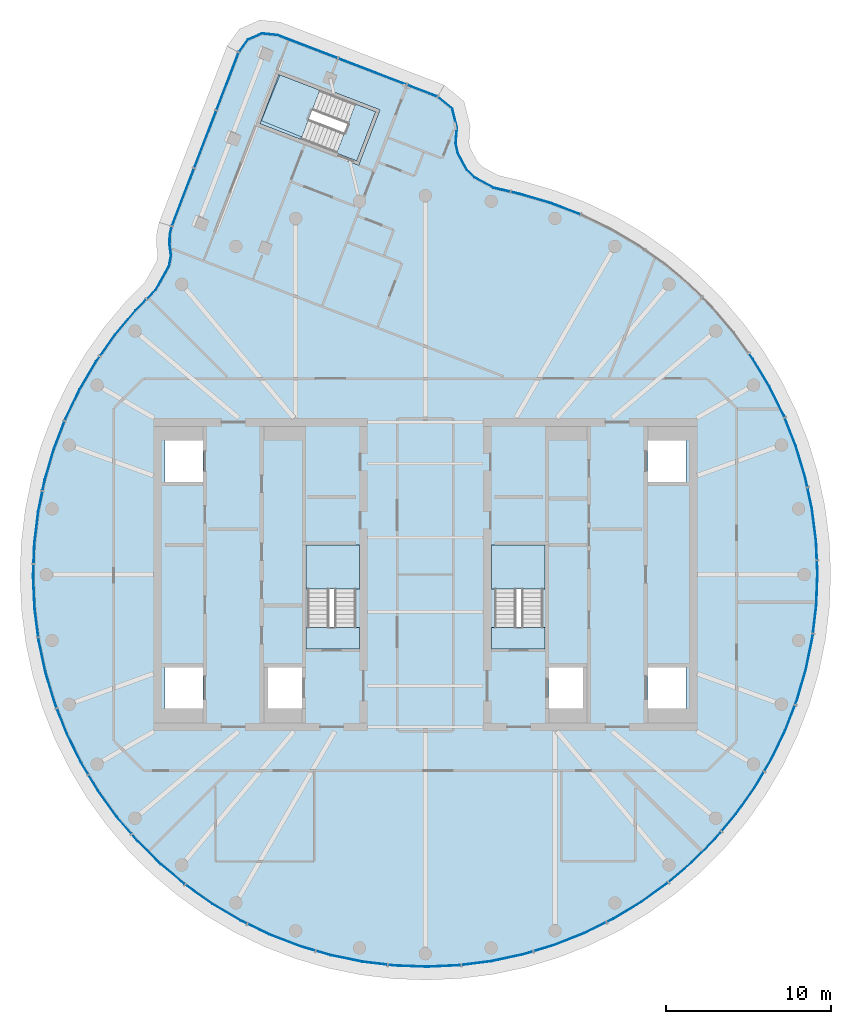
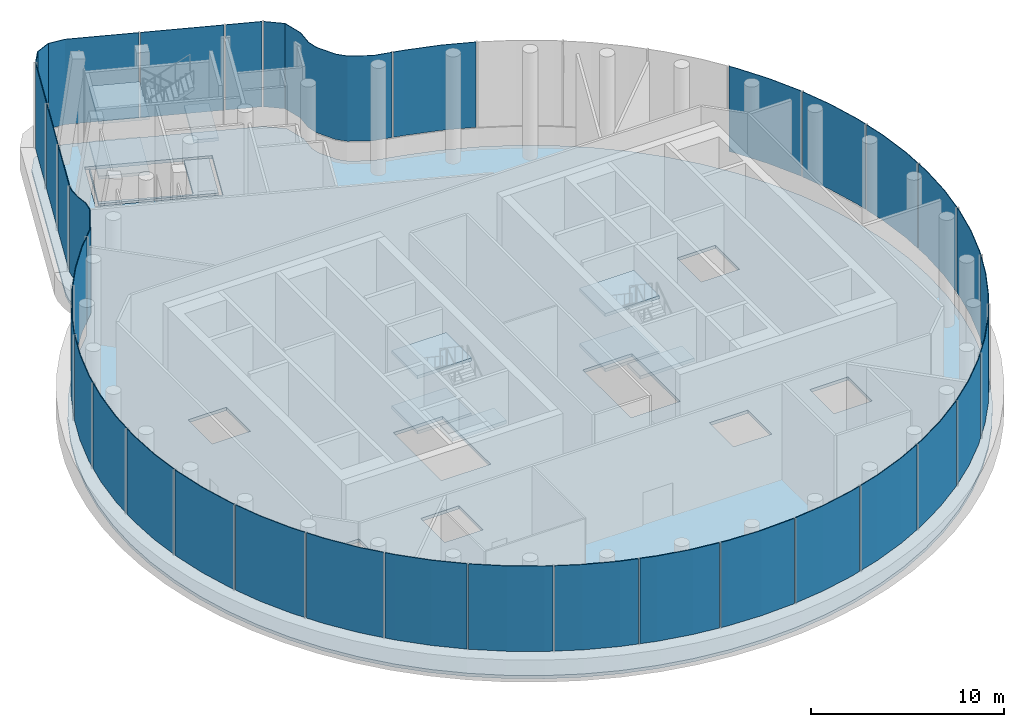
# One storey, part 7 of 12: 33 plates, 11 slabs, 6 elements without a shape of their own.
"""IFC4 building model written with IfcOpenShell, lengths in metres."""

from ifc_helpers import new_model, si_unit, direction, frame, origin, place, context, subcontext, project, spatial, polyline, outline, extrude, material, layer, layer_set, type_object, element, aggregate, save


model = new_model("IFC4")

# Units and contexts
model_context = context("Model", 3, precision=1e-05, world=origin(), true_north=direction((0.0, 1.0)))
body_context = subcontext(model_context, "Body", "Model", "MODEL_VIEW")
ifc_project = project(units=[si_unit("LENGTHUNIT", "METRE"), si_unit("AREAUNIT", "SQUARE_METRE"), si_unit("VOLUMEUNIT", "CUBIC_METRE"), si_unit("PLANEANGLEUNIT", "RADIAN"), si_unit("MASSUNIT", "GRAM", prefix="KILO")], contexts=[model_context])

# Site, building, storey
site_placement = place(None, origin())
site = spatial("IfcSite", under=ifc_project, at=site_placement, CompositionType="ELEMENT")
building_placement = place(site_placement, origin())
building = spatial("IfcBuilding", under=site, at=building_placement, Name="Tamarind Cross Interchange Tower", CompositionType="ELEMENT")
storey_placement = place(building_placement, frame((0.0, 0.0, 287.39990234375)))
storey = spatial("IfcBuildingStorey", under=building, at=storey_placement, Name="L72", CompositionType="ELEMENT", Elevation=287.39990234375)

# Slabs
ifc_material_1 = material(Name="Concrete C40", Category="concrete")
ifc_layer_1 = layer(ifc_material_1, 0.199951171875)
ifc_layer_set_1 = layer_set([ifc_layer_1], Name="Concrete C40")
slab_type_1 = type_object("IfcSlabType", Name="Composite slab 200 Concrete C40", PredefinedType="FLOOR", material=ifc_layer_set_1)
slab_1_placement = place(storey_placement, frame((0.0, 0.0, -0.199951171875)))
element("IfcSlab", 1, at=slab_1_placement, inside=storey, type_object=slab_type_1, Name="Floor slab L72", PredefinedType="FLOOR", context=body_context, shape_type="SweptSolid", body=[
    extrude(outline(polyline([(-10.89453125, 32.6201171875), (-11.503662109375, 31.783203125), (-15.576171875, 21.19775390625), (-15.698486328125, 20.690185546875), (-15.716552734375, 20.05078125), (-15.635009765625, 19.35888671875), (-15.74072265625, 18.78955078125), (-16.534423828125, 17.377685546875), (-17.72412109375, 16.17578125), (-18.99951171875, 14.656982421875), (-20.14501953125, 13.0380859375), (-21.15283203125, 11.329833984375), (-22.01611328125, 9.54443359375), (-22.72900390625, 7.693603515625), (-23.286865234375, 5.79052734375), (-23.685546875, 3.84765625), (-23.92236328125, 1.878662109375), (-23.99560546875, -0.103271484375), (-23.9052734375, -2.08447265625), (-23.651611328125, -4.051513671875), (-23.236083984375, -5.99072265625), (-22.662109375, -7.88916015625), (-21.93310546875, -9.7333984375), (-21.054443359375, -11.511474609375), (-20.031982421875, -13.2109375), (-18.87255859375, -14.820068359375), (-17.584228515625, -16.327880859375), (-16.17578125, -17.72412109375), (-14.656982421875, -18.99951171875), (-13.0380859375, -20.14501953125), (-11.329833984375, -21.15283203125), (-9.54443359375, -22.01611328125), (-7.693603515625, -22.72900390625), (-5.79052734375, -23.286865234375), (-3.84765625, -23.685546875), (-1.878662109375, -23.92236328125), (0.103271484375, -23.99560546875), (2.08447265625, -23.9052734375), (4.051513671875, -23.651611328125), (5.99072265625, -23.236083984375), (7.88916015625, -22.662109375), (9.7333984375, -21.93310546875), (11.511474609375, -21.054443359375), (13.2109375, -20.031982421875), (14.820068359375, -18.87255859375), (16.327880859375, -17.584228515625), (17.72412109375, -16.17578125), (18.99951171875, -14.656982421875), (20.14501953125, -13.0380859375), (21.15283203125, -11.329833984375), (22.01611328125, -9.54443359375), (22.72900390625, -7.693603515625), (23.286865234375, -5.79052734375), (23.685546875, -3.84765625), (23.92236328125, -1.878662109375), (23.99560546875, 0.103271484375), (23.9052734375, 2.08447265625), (23.651611328125, 4.051513671875), (23.236083984375, 5.99072265625), (22.662109375, 7.88916015625), (21.93310546875, 9.7333984375), (21.054443359375, 11.511474609375), (20.031982421875, 13.2109375), (18.87255859375, 14.820068359375), (17.584228515625, 16.327880859375), (16.17578125, 17.72412109375), (14.656982421875, 18.99951171875), (13.0380859375, 20.14501953125), (11.329833984375, 21.15283203125), (9.54443359375, 22.01611328125), (7.693603515625, 22.72900390625), (5.79052734375, 23.286865234375), (4.213134765625, 23.65966796875), (3.09375, 24.26416015625), (2.69921875, 24.65771484375), (2.160888671875, 25.646728515625), (2.044677734375, 26.191650390625), (2.120361328125, 27.1513671875), (1.818603515625, 28.375), (0.8447265625, 29.17529296875), (-8.9189453125, 32.931640625), (-9.948486328125, 33.04052734375), (-10.89453125, 32.6201171875)]), holes=[polyline([(-15.800048828125, -5.625), (-13.5, -5.625), (-13.5, -8.125), (-15.800048828125, -8.125), (-15.800048828125, -5.625)]), polyline([(-7.5, -5.625), (-7.5, -8.125), (-9.800048828125, -8.125), (-9.800048828125, -5.625), (-7.5, -5.625)]), polyline([(-13.5, 8.125), (-13.5, 5.625), (-15.800048828125, 5.625), (-15.800048828125, 8.125), (-13.5, 8.125)]), polyline([(-3.977294921875, 25.0302734375), (-4.049072265625, 24.843505859375), (-10.30224609375, 27.249267578125), (-10.23046875, 27.43603515625), (-9.081298828125, 30.422607421875), (-9.009521484375, 30.609130859375), (-8.742919921875, 30.506591796875), (-8.740966796875, 30.511474609375), (-8.47265625, 30.402587890625), (-2.75634765625, 28.203369140625), (-2.828125, 28.016845703125), (-3.977294921875, 25.0302734375)]), polyline([(7.5, -8.125), (7.5, -5.625), (9.800048828125, -5.625), (9.800048828125, -8.125), (7.5, -8.125)]), polyline([(13.5, -8.125), (13.5, -5.625), (15.800048828125, -5.625), (15.800048828125, -8.125), (13.5, -8.125)]), polyline([(-7.14990234375, 1.800048828125), (-4.199951171875, 1.800048828125), (-4.199951171875, -3.18798828125), (-7.14990234375, -3.18798828125), (-7.14990234375, 1.800048828125)]), polyline([(4.199951171875, 1.800048828125), (7.14990234375, 1.800048828125), (7.14990234375, -3.18798828125), (4.199951171875, -3.18798828125), (4.199951171875, 1.800048828125)]), polyline([(13.5, 5.625), (13.5, 8.125), (15.800048828125, 8.125), (15.800048828125, 5.625), (13.5, 5.625)])]), origin(), (0.0, 0.0, 1.0), 0.199951171875),
])
slab_2_placement = place(storey_placement, frame((0.0, 0.0, -0.199951171875)))
element("IfcSlab", 2, at=slab_2_placement, inside=storey, type_object=slab_type_1, Name="Floor slab L72", PredefinedType="FLOOR", context=body_context, shape_type="SweptSolid", body=[
    extrude(outline(polyline([(-8.818115234375, 30.3212890625), (-8.894775390625, 30.3505859375), (-10.043701171875, 27.364013671875), (-4.163818359375, 25.10205078125), (-3.014892578125, 28.088623046875), (-4.2392578125, 28.559814453125), (-5.346923828125, 25.6806640625), (-9.944091796875, 27.54638671875), (-8.818115234375, 30.3212890625)])), origin(), (0.0, 0.0, 1.0), 0.199951171875),
])

# Stair, slabs
ifc_material_2 = material(Name="Exit stair")
stair_type = type_object("IfcStairType", Name="Exit stair", PredefinedType="HALF_TURN_STAIR", material=ifc_material_2)
stair_1_placement = place(storey_placement, origin())
stair_1 = element("IfcStair", 3, at=stair_1_placement, inside=storey, type_object=stair_type, Name="L72 exit stair ST1", PredefinedType="HALF_TURN_STAIR")
ifc_layer_2 = layer(ifc_material_1, 0.199951171875)
ifc_layer_set_2 = layer_set([ifc_layer_2], Name="Concrete C40")
slab_type_2 = type_object("IfcSlabType", Name="Stair landing", PredefinedType="LANDING", material=ifc_layer_set_2)
slab_3_placement = place(storey_placement, frame((0.0, 0.0, 1.550048828125)))
slab_3 = element("IfcSlab", 4, at=slab_3_placement, type_object=slab_type_2, Name="ST1 landing 1", PredefinedType="LANDING", context=body_context, shape_type="SweptSolid", body=[
    extrude(outline(polyline([(-4.0, -0.860107421875), (-4.0, 1.800048828125), (-7.25, 1.800048828125), (-7.25, -0.860107421875), (-4.0, -0.860107421875)])), origin(), (0.0, 0.0, 1.0), 0.199951171875),
])
slab_4_placement = place(storey_placement, frame((0.0, 0.0, 3.300048828125)))
slab_4 = element("IfcSlab", 5, at=slab_4_placement, type_object=slab_type_2, Name="ST1 landing 2", PredefinedType="LANDING", context=body_context, shape_type="SweptSolid", body=[
    extrude(outline(polyline([(-4.0, -4.5), (-4.0, -3.199951171875), (-7.25, -3.199951171875), (-7.25, -4.5), (-4.0, -4.5)])), origin(), (0.0, 0.0, 1.0), 0.199951171875),
])
slab_5_placement = place(storey_placement, frame((0.0, 0.0, 5.050048828125)))
slab_5 = element("IfcSlab", 6, at=slab_5_placement, type_object=slab_type_2, Name="ST1 landing 3", PredefinedType="LANDING", context=body_context, shape_type="SweptSolid", body=[
    extrude(outline(polyline([(-4.0, -0.860107421875), (-4.0, 1.800048828125), (-7.25, 1.800048828125), (-7.25, -0.860107421875), (-4.0, -0.860107421875)])), origin(), (0.0, 0.0, 1.0), 0.199951171875),
])
aggregate(stair_1, [slab_3, slab_4, slab_5])

stair_2_placement = place(storey_placement, origin())
stair_2 = element("IfcStair", 7, at=stair_2_placement, inside=storey, type_object=stair_type, Name="L72 exit stair ST2", PredefinedType="HALF_TURN_STAIR")
slab_6_placement = place(storey_placement, frame((0.0, 0.0, 1.550048828125)))
slab_6 = element("IfcSlab", 8, at=slab_6_placement, type_object=slab_type_2, Name="ST2 landing 1", PredefinedType="LANDING", context=body_context, shape_type="SweptSolid", body=[
    extrude(outline(polyline([(7.25, -0.860107421875), (7.25, 1.800048828125), (4.0, 1.800048828125), (4.0, -0.860107421875), (7.25, -0.860107421875)])), origin(), (0.0, 0.0, 1.0), 0.199951171875),
])
slab_7_placement = place(storey_placement, frame((0.0, 0.0, 3.300048828125)))
slab_7 = element("IfcSlab", 9, at=slab_7_placement, type_object=slab_type_2, Name="ST2 landing 2", PredefinedType="LANDING", context=body_context, shape_type="SweptSolid", body=[
    extrude(outline(polyline([(7.25, -4.5), (7.25, -3.199951171875), (4.0, -3.199951171875), (4.0, -4.5), (7.25, -4.5)])), origin(), (0.0, 0.0, 1.0), 0.199951171875),
])
slab_8_placement = place(storey_placement, frame((0.0, 0.0, 5.050048828125)))
slab_8 = element("IfcSlab", 10, at=slab_8_placement, type_object=slab_type_2, Name="ST2 landing 3", PredefinedType="LANDING", context=body_context, shape_type="SweptSolid", body=[
    extrude(outline(polyline([(7.25, -0.860107421875), (7.25, 1.800048828125), (4.0, 1.800048828125), (4.0, -0.860107421875), (7.25, -0.860107421875)])), origin(), (0.0, 0.0, 1.0), 0.199951171875),
])
aggregate(stair_2, [slab_6, slab_7, slab_8])

stair_3_placement = place(storey_placement, origin())
stair_3 = element("IfcStair", 11, at=stair_3_placement, inside=storey, type_object=stair_type, Name="L72 exit stair ST4", PredefinedType="HALF_TURN_STAIR")
slab_9_placement = place(storey_placement, frame((0.0, 0.0, 1.550048828125)))
slab_9 = element("IfcSlab", 12, at=slab_9_placement, type_object=slab_type_2, Name="ST4 landing 1", PredefinedType="LANDING", context=body_context, shape_type="SweptSolid", body=[
    extrude(outline(polyline([(-6.40087890625, 29.391357421875), (-8.894775390625, 30.350830078125), (-10.043701171875, 27.3642578125), (-7.5498046875, 26.40478515625), (-6.40087890625, 29.391357421875)])), origin(), (0.0, 0.0, 1.0), 0.199951171875),
])
slab_10_placement = place(storey_placement, frame((0.0, 0.0, 3.300048828125)))
slab_10 = element("IfcSlab", 13, at=slab_10_placement, type_object=slab_type_2, Name="ST4 landing 2", PredefinedType="LANDING", context=body_context, shape_type="SweptSolid", body=[
    extrude(outline(polyline([(-3.014892578125, 28.088623046875), (-4.2392578125, 28.5595703125), (-5.388427734375, 25.572998046875), (-4.163818359375, 25.10205078125), (-3.014892578125, 28.088623046875)])), origin(), (0.0, 0.0, 1.0), 0.199951171875),
])
slab_11_placement = place(storey_placement, frame((0.0, 0.0, 5.050048828125)))
slab_11 = element("IfcSlab", 14, at=slab_11_placement, type_object=slab_type_2, Name="ST4 landing 3", PredefinedType="LANDING", context=body_context, shape_type="SweptSolid", body=[
    extrude(outline(polyline([(-6.40087890625, 29.391357421875), (-8.894775390625, 30.350830078125), (-10.043701171875, 27.3642578125), (-7.5498046875, 26.40478515625), (-6.40087890625, 29.391357421875)])), origin(), (0.0, 0.0, 1.0), 0.199951171875),
])
aggregate(stair_3, [slab_9, slab_10, slab_11])

# Curtain wall, plates
ifc_material_3 = material(Name="Aluminium 6063-T6", Category="aluminium")
ifc_layer_3 = layer(ifc_material_3, 0.219970703125)
ifc_layer_set_3 = layer_set([ifc_layer_3], Name="Aluminium 6063-T6")
curtain_wall_type = type_object("IfcCurtainWallType", Name="Observation deck curtain wall", PredefinedType="NOTDEFINED", material=ifc_layer_set_3)
curtain_wall_1_placement = place(storey_placement, origin())
curtain_wall_1 = element("IfcCurtainWall", 15, at=curtain_wall_1_placement, inside=storey, type_object=curtain_wall_type, Name="CWS-L72-00", PredefinedType="NOTDEFINED")
ifc_material_4 = material(Name="Laminated low-e glass 10+1.52+10", Category="glass")
ifc_layer_4 = layer(ifc_material_4, 0.0400390625)
ifc_layer_set_4 = layer_set([ifc_layer_4], Name="Laminated low-e glass 10+1.52+10")
plate_type = type_object("IfcPlateType", Name="Vision panel CW5", PredefinedType="CURTAIN_PANEL", material=ifc_layer_set_4)
plate_1_placement = place(storey_placement, frame((0.0, 0.0, 1.400146484375)))
plate_1 = element("IfcPlate", 16, at=plate_1_placement, type_object=plate_type, Name="CWP-L72-00-00", PredefinedType="CURTAIN_PANEL", context=body_context, shape_type="SweptSolid", body=[
    extrude(outline(polyline([(0.6982421875, 28.995849609375), (-1.094482421875, 29.685546875), (-1.080078125, 29.722900390625), (0.712646484375, 29.033203125), (0.6982421875, 28.995849609375)])), origin(), (0.0, 0.0, 1.0), 5.39990234375),
])
plate_2_placement = place(storey_placement, frame((0.0, 0.0, 1.400146484375)))
plate_2 = element("IfcPlate", 17, at=plate_2_placement, type_object=plate_type, Name="CWP-L72-00-01", PredefinedType="CURTAIN_PANEL", context=body_context, shape_type="SweptSolid", body=[
    extrude(outline(polyline([(-1.1689453125, 29.71435546875), (-5.270751953125, 31.292236328125), (-5.25634765625, 31.32958984375), (-1.15478515625, 29.75146484375), (-1.1689453125, 29.71435546875)])), origin(), (0.0, 0.0, 1.0), 5.39990234375),
])
plate_3_placement = place(storey_placement, frame((0.0, 0.0, 1.400146484375)))
plate_3 = element("IfcPlate", 18, at=plate_3_placement, type_object=plate_type, Name="CWP-L72-00-02", PredefinedType="CURTAIN_PANEL", context=body_context, shape_type="SweptSolid", body=[
    extrude(outline(polyline([(-5.345458984375, 31.321044921875), (-8.970947265625, 32.7158203125), (-9.9130859375, 32.815673828125), (-10.75146484375, 32.443115234375), (-11.286865234375, 31.707275390625), (-11.319091796875, 31.730712890625), (-10.77734375, 32.475341796875), (-9.91943359375, 32.8564453125), (-8.96142578125, 32.755126953125), (-5.3310546875, 31.3583984375), (-5.345458984375, 31.321044921875)])), origin(), (0.0, 0.0, 1.0), 5.39990234375),
])
aggregate(curtain_wall_1, [plate_1, plate_2, plate_3])

curtain_wall_2_placement = place(storey_placement, origin())
curtain_wall_2 = element("IfcCurtainWall", 19, at=curtain_wall_2_placement, inside=storey, type_object=curtain_wall_type, Name="CWS-L72-01", PredefinedType="NOTDEFINED")
plate_4_placement = place(storey_placement, frame((0.0, 0.0, 1.400146484375)))
plate_4 = element("IfcPlate", 20, at=plate_4_placement, type_object=plate_type, Name="CWP-L72-01-00", PredefinedType="CURTAIN_PANEL", context=body_context, shape_type="SweptSolid", body=[
    extrude(outline(polyline([(-11.322265625, 31.64208984375), (-12.646240234375, 28.20068359375), (-12.68359375, 28.215087890625), (-11.359619140625, 31.656494140625), (-11.322265625, 31.64208984375)])), origin(), (0.0, 0.0, 1.0), 5.39990234375),
])
plate_5_placement = place(storey_placement, frame((0.0, 0.0, 1.400146484375)))
plate_5 = element("IfcPlate", 21, at=plate_5_placement, type_object=plate_type, Name="CWP-L72-01-01", PredefinedType="CURTAIN_PANEL", context=body_context, shape_type="SweptSolid", body=[
    extrude(outline(polyline([(-12.675048828125, 28.1259765625), (-13.9990234375, 24.6845703125), (-14.036376953125, 24.698974609375), (-12.71240234375, 28.140380859375), (-12.675048828125, 28.1259765625)])), origin(), (0.0, 0.0, 1.0), 5.39990234375),
])
plate_6_placement = place(storey_placement, frame((0.0, 0.0, 1.400146484375)))
plate_6 = element("IfcPlate", 22, at=plate_6_placement, type_object=plate_type, Name="CWP-L72-01-02", PredefinedType="CURTAIN_PANEL", context=body_context, shape_type="SweptSolid", body=[
    extrude(outline(polyline([(-14.02783203125, 24.60986328125), (-15.351806640625, 21.168212890625), (-15.38916015625, 21.1826171875), (-14.065185546875, 24.624267578125), (-14.02783203125, 24.60986328125)])), origin(), (0.0, 0.0, 1.0), 5.39990234375),
])
aggregate(curtain_wall_2, [plate_4, plate_5, plate_6])

curtain_wall_3_placement = place(storey_placement, origin())
curtain_wall_3 = element("IfcCurtainWall", 23, at=curtain_wall_3_placement, inside=storey, type_object=curtain_wall_type, Name="CWS-L72-02", PredefinedType="NOTDEFINED")
plate_7_placement = place(storey_placement, frame((0.0, 0.0, 1.400146484375)))
plate_7 = element("IfcPlate", 24, at=plate_7_placement, type_object=plate_type, Name="CWP-L72-02-00", PredefinedType="CURTAIN_PANEL", context=body_context, shape_type="SweptSolid", body=[
    extrude(outline(polyline([(-15.374755859375, 21.094482421875), (-15.479248046875, 20.660888671875), (-15.49609375, 20.060546875), (-15.41259765625, 19.3515625), (-15.53125, 18.713623046875), (-16.357177734375, 17.244140625), (-16.871826171875, 16.72412109375), (-16.900146484375, 16.75244140625), (-16.389404296875, 17.268310546875), (-15.5693359375, 18.727294921875), (-15.453125, 19.352783203125), (-15.5361328125, 20.058837890625), (-15.51904296875, 20.666259765625), (-15.41357421875, 21.10400390625), (-15.374755859375, 21.094482421875)])), origin(), (0.0, 0.0, 1.0), 5.39990234375),
])
plate_8_placement = place(storey_placement, frame((0.0, 0.0, 1.400146484375)))
plate_8 = element("IfcPlate", 25, at=plate_8_placement, type_object=plate_type, Name="CWP-L72-02-01", PredefinedType="CURTAIN_PANEL", context=body_context, shape_type="SweptSolid", body=[
    extrude(outline(polyline([(-16.927978515625, 16.66748046875), (-17.5615234375, 16.027587890625), (-18.8251953125, 14.5224609375), (-19.712646484375, 13.26806640625), (-19.745361328125, 13.291259765625), (-18.856689453125, 14.546875), (-17.591064453125, 16.054443359375), (-16.95654296875, 16.695556640625), (-16.927978515625, 16.66748046875)])), origin(), (0.0, 0.0, 1.0), 5.39990234375),
])
plate_9_placement = place(storey_placement, frame((0.0, 0.0, 1.400146484375)))
plate_9 = element("IfcPlate", 26, at=plate_9_placement, type_object=plate_type, Name="CWP-L72-02-02", PredefinedType="CURTAIN_PANEL", context=body_context, shape_type="SweptSolid", body=[
    extrude(outline(polyline([(-19.7587890625, 13.202880859375), (-19.9599609375, 12.918212890625), (-20.958740234375, 11.225830078125), (-21.814208984375, 9.456787109375), (-21.85107421875, 9.360595703125), (-21.888427734375, 9.375), (-21.850830078125, 9.47265625), (-20.993896484375, 11.244873046875), (-19.99365234375, 12.940185546875), (-19.79150390625, 13.225830078125), (-19.7587890625, 13.202880859375)])), origin(), (0.0, 0.0, 1.0), 5.39990234375),
])
plate_10_placement = place(storey_placement, frame((0.0, 0.0, 1.400146484375)))
plate_10 = element("IfcPlate", 27, at=plate_10_placement, type_object=plate_type, Name="CWP-L72-02-03", PredefinedType="CURTAIN_PANEL", context=body_context, shape_type="SweptSolid", body=[
    extrude(outline(polyline([(-21.8798828125, 9.285888671875), (-22.5205078125, 7.623046875), (-23.0732421875, 5.7373046875), (-23.201171875, 5.11376953125), (-23.240234375, 5.121826171875), (-23.112060546875, 5.7470703125), (-22.558349609375, 7.635986328125), (-21.917236328125, 9.30029296875), (-21.8798828125, 9.285888671875)])), origin(), (0.0, 0.0, 1.0), 5.39990234375),
])
plate_11_placement = place(storey_placement, frame((0.0, 0.0, 1.400146484375)))
plate_11 = element("IfcPlate", 28, at=plate_11_placement, type_object=plate_type, Name="CWP-L72-02-04", PredefinedType="CURTAIN_PANEL", context=body_context, shape_type="SweptSolid", body=[
    extrude(outline(polyline([(-23.21728515625, 5.035400390625), (-23.468017578125, 3.8125), (-23.702880859375, 1.861328125), (-23.74609375, 0.691650390625), (-23.7861328125, 0.693359375), (-23.74267578125, 1.864501953125), (-23.507568359375, 3.81884765625), (-23.25634765625, 5.04345703125), (-23.21728515625, 5.035400390625)])), origin(), (0.0, 0.0, 1.0), 5.39990234375),
])
plate_12_placement = place(storey_placement, frame((0.0, 0.0, 1.400146484375)))
plate_12 = element("IfcPlate", 29, at=plate_12_placement, type_object=plate_type, Name="CWP-L72-02-05", PredefinedType="CURTAIN_PANEL", context=body_context, shape_type="SweptSolid", body=[
    extrude(outline(polyline([(-23.7490234375, 0.61181640625), (-23.775634765625, -0.102294921875), (-23.685791015625, -2.0654296875), (-23.4677734375, -3.75537109375), (-23.507568359375, -3.760498046875), (-23.725830078125, -2.06884765625), (-23.815673828125, -0.1025390625), (-23.7890625, 0.61328125), (-23.7490234375, 0.61181640625)])), origin(), (0.0, 0.0, 1.0), 5.39990234375),
])
plate_13_placement = place(storey_placement, frame((0.0, 0.0, 1.400146484375)))
plate_13 = element("IfcPlate", 30, at=plate_13_placement, type_object=plate_type, Name="CWP-L72-02-06", PredefinedType="CURTAIN_PANEL", context=body_context, shape_type="SweptSolid", body=[
    extrude(outline(polyline([(-23.45751953125, -3.834716796875), (-23.434326171875, -4.01416015625), (-23.02294921875, -5.935791015625), (-22.4541015625, -7.816650390625), (-22.354736328125, -8.068359375), (-22.391845703125, -8.0830078125), (-22.491943359375, -7.829833984375), (-23.061767578125, -5.94580078125), (-23.473876953125, -4.02099609375), (-23.497314453125, -3.83984375), (-23.45751953125, -3.834716796875)])), origin(), (0.0, 0.0, 1.0), 5.39990234375),
])
plate_14_placement = place(storey_placement, frame((0.0, 0.0, 1.400146484375)))
plate_14 = element("IfcPlate", 31, at=plate_14_placement, type_object=plate_type, Name="CWP-L72-02-07", PredefinedType="CURTAIN_PANEL", context=body_context, shape_type="SweptSolid", body=[
    extrude(outline(polyline([(-22.3251953125, -8.142822265625), (-21.73193359375, -9.644287109375), (-20.861328125, -11.406005859375), (-20.446533203125, -12.094970703125), (-20.48095703125, -12.11572265625), (-20.896484375, -11.425048828125), (-21.7685546875, -9.660400390625), (-22.362548828125, -8.157470703125), (-22.3251953125, -8.142822265625)])), origin(), (0.0, 0.0, 1.0), 5.39990234375),
])
plate_15_placement = place(storey_placement, frame((0.0, 0.0, 1.400146484375)))
plate_15 = element("IfcPlate", 32, at=plate_15_placement, type_object=plate_type, Name="CWP-L72-02-08", PredefinedType="CURTAIN_PANEL", context=body_context, shape_type="SweptSolid", body=[
    extrude(outline(polyline([(-20.4052734375, -12.16357421875), (-19.84814453125, -13.089599609375), (-18.699462890625, -14.68408203125), (-17.830322265625, -15.701416015625), (-17.860595703125, -15.727294921875), (-18.73095703125, -14.708740234375), (-19.881591796875, -13.111572265625), (-20.439697265625, -12.18408203125), (-20.4052734375, -12.16357421875)])), origin(), (0.0, 0.0, 1.0), 5.39990234375),
])
plate_16_placement = place(storey_placement, frame((0.0, 0.0, 1.400146484375)))
plate_16 = element("IfcPlate", 33, at=plate_16_placement, type_object=plate_type, Name="CWP-L72-02-09", PredefinedType="CURTAIN_PANEL", context=body_context, shape_type="SweptSolid", body=[
    extrude(outline(polyline([(-17.7783203125, -15.76220703125), (-17.4228515625, -16.177978515625), (-16.02734375, -17.5615234375), (-14.593994140625, -18.764892578125), (-14.619873046875, -18.795654296875), (-16.054443359375, -17.591064453125), (-17.452392578125, -16.205322265625), (-17.80859375, -15.7880859375), (-17.7783203125, -15.76220703125)])), origin(), (0.0, 0.0, 1.0), 5.39990234375),
])
plate_17_placement = place(storey_placement, frame((0.0, 0.0, 1.400146484375)))
plate_17 = element("IfcPlate", 34, at=plate_17_placement, type_object=plate_type, Name="CWP-L72-02-10", PredefinedType="CURTAIN_PANEL", context=body_context, shape_type="SweptSolid", body=[
    extrude(outline(polyline([(-14.53271484375, -18.81640625), (-14.5224609375, -18.8251953125), (-12.918212890625, -19.9599609375), (-11.225830078125, -20.958740234375), (-10.83154296875, -21.1494140625), (-10.848876953125, -21.185302734375), (-11.244873046875, -20.993896484375), (-12.940185546875, -19.99365234375), (-14.546875, -18.856689453125), (-14.55859375, -18.84716796875), (-14.53271484375, -18.81640625)])), origin(), (0.0, 0.0, 1.0), 5.39990234375),
])
plate_18_placement = place(storey_placement, frame((0.0, 0.0, 1.400146484375)))
plate_18 = element("IfcPlate", 35, at=plate_18_placement, type_object=plate_type, Name="CWP-L72-02-11", PredefinedType="CURTAIN_PANEL", context=body_context, shape_type="SweptSolid", body=[
    extrude(outline(polyline([(-10.759521484375, -21.184326171875), (-9.456787109375, -21.814208984375), (-7.623046875, -22.5205078125), (-6.6904296875, -22.7939453125), (-6.70166015625, -22.832275390625), (-7.635986328125, -22.558349609375), (-9.47265625, -21.850830078125), (-10.77685546875, -21.22021484375), (-10.759521484375, -21.184326171875)])), origin(), (0.0, 0.0, 1.0), 5.39990234375),
])
plate_19_placement = place(storey_placement, frame((0.0, 0.0, 1.400146484375)))
plate_19 = element("IfcPlate", 36, at=plate_19_placement, type_object=plate_type, Name="CWP-L72-02-12", PredefinedType="CURTAIN_PANEL", context=body_context, shape_type="SweptSolid", body=[
    extrude(outline(polyline([(-6.61376953125, -22.81640625), (-5.7373046875, -23.0732421875), (-3.8125, -23.468017578125), (-2.317626953125, -23.64794921875), (-2.322265625, -23.687744140625), (-3.81884765625, -23.507568359375), (-5.7470703125, -23.112060546875), (-6.625, -22.854736328125), (-6.61376953125, -22.81640625)])), origin(), (0.0, 0.0, 1.0), 5.39990234375),
])
plate_20_placement = place(storey_placement, frame((0.0, 0.0, 1.400146484375)))
plate_20 = element("IfcPlate", 37, at=plate_20_placement, type_object=plate_type, Name="CWP-L72-02-13", PredefinedType="CURTAIN_PANEL", context=body_context, shape_type="SweptSolid", body=[
    extrude(outline(polyline([(-2.23828125, -23.657470703125), (-1.861328125, -23.702880859375), (0.102294921875, -23.775634765625), (2.0654296875, -23.685791015625), (2.13671875, -23.6767578125), (2.141845703125, -23.71630859375), (2.06884765625, -23.725830078125), (0.1025390625, -23.815673828125), (-1.864501953125, -23.74267578125), (-2.242919921875, -23.697265625), (-2.23828125, -23.657470703125)])), origin(), (0.0, 0.0, 1.0), 5.39990234375),
])
plate_21_placement = place(storey_placement, frame((0.0, 0.0, 1.400146484375)))
plate_21 = element("IfcPlate", 38, at=plate_21_placement, type_object=plate_type, Name="CWP-L72-02-14", PredefinedType="CURTAIN_PANEL", context=body_context, shape_type="SweptSolid", body=[
    extrude(outline(polyline([(2.216064453125, -23.66650390625), (4.01416015625, -23.434326171875), (5.935791015625, -23.02294921875), (6.515380859375, -22.84765625), (6.527099609375, -22.885986328125), (5.94580078125, -23.061767578125), (4.02099609375, -23.473876953125), (2.22119140625, -23.7060546875), (2.216064453125, -23.66650390625)])), origin(), (0.0, 0.0, 1.0), 5.39990234375),
])
plate_22_placement = place(storey_placement, frame((0.0, 0.0, 1.400146484375)))
plate_22 = element("IfcPlate", 39, at=plate_22_placement, type_object=plate_type, Name="CWP-L72-02-15", PredefinedType="CURTAIN_PANEL", context=body_context, shape_type="SweptSolid", body=[
    extrude(outline(polyline([(6.592041015625, -22.824462890625), (7.816650390625, -22.4541015625), (9.644287109375, -21.73193359375), (10.955322265625, -21.083984375), (10.97314453125, -21.119873046875), (9.660400390625, -21.7685546875), (7.829833984375, -22.491943359375), (6.603515625, -22.86279296875), (6.592041015625, -22.824462890625)])), origin(), (0.0, 0.0, 1.0), 5.39990234375),
])
plate_23_placement = place(storey_placement, frame((0.0, 0.0, 1.400146484375)))
plate_23 = element("IfcPlate", 40, at=plate_23_placement, type_object=plate_type, Name="CWP-L72-02-16", PredefinedType="CURTAIN_PANEL", context=body_context, shape_type="SweptSolid", body=[
    extrude(outline(polyline([(11.027099609375, -21.04833984375), (11.406005859375, -20.861328125), (13.089599609375, -19.84814453125), (14.68408203125, -18.699462890625), (14.7060546875, -18.680419921875), (14.73193359375, -18.7109375), (14.708740234375, -18.73095703125), (13.111572265625, -19.881591796875), (11.425048828125, -20.896484375), (11.044921875, -21.084228515625), (11.027099609375, -21.04833984375)])), origin(), (0.0, 0.0, 1.0), 5.39990234375),
])
plate_24_placement = place(storey_placement, frame((0.0, 0.0, 1.400146484375)))
plate_24 = element("IfcPlate", 41, at=plate_24_placement, type_object=plate_type, Name="CWP-L72-02-17", PredefinedType="CURTAIN_PANEL", context=body_context, shape_type="SweptSolid", body=[
    extrude(outline(polyline([(14.766845703125, -18.628662109375), (16.177978515625, -17.4228515625), (17.5615234375, -16.02734375), (17.92333984375, -15.5966796875), (17.953857421875, -15.622314453125), (17.591064453125, -16.054443359375), (16.205322265625, -17.452392578125), (14.79296875, -18.658935546875), (14.766845703125, -18.628662109375)])), origin(), (0.0, 0.0, 1.0), 5.39990234375),
])
plate_25_placement = place(storey_placement, frame((0.0, 0.0, 1.400146484375)))
plate_25 = element("IfcPlate", 42, at=plate_25_placement, type_object=plate_type, Name="CWP-L72-02-18", PredefinedType="CURTAIN_PANEL", context=body_context, shape_type="SweptSolid", body=[
    extrude(outline(polyline([(17.974853515625, -15.535400390625), (18.8251953125, -14.5224609375), (19.9599609375, -12.918212890625), (20.517333984375, -11.97412109375), (20.5517578125, -11.994384765625), (19.99365234375, -12.940185546875), (18.856689453125, -14.546875), (18.00537109375, -15.56103515625), (17.974853515625, -15.535400390625)])), origin(), (0.0, 0.0, 1.0), 5.39990234375),
])
plate_26_placement = place(storey_placement, frame((0.0, 0.0, 1.400146484375)))
plate_26 = element("IfcPlate", 43, at=plate_26_placement, type_object=plate_type, Name="CWP-L72-02-19", PredefinedType="CURTAIN_PANEL", context=body_context, shape_type="SweptSolid", body=[
    extrude(outline(polyline([(20.557861328125, -11.905029296875), (20.958740234375, -11.225830078125), (21.814208984375, -9.456787109375), (22.400146484375, -7.935791015625), (22.4375, -7.9501953125), (21.850830078125, -9.47265625), (20.993896484375, -11.244873046875), (20.59228515625, -11.925537109375), (20.557861328125, -11.905029296875)])), origin(), (0.0, 0.0, 1.0), 5.39990234375),
])
plate_27_placement = place(storey_placement, frame((0.0, 0.0, 1.400146484375)))
plate_27 = element("IfcPlate", 44, at=plate_27_placement, type_object=plate_type, Name="CWP-L72-02-20", PredefinedType="CURTAIN_PANEL", context=body_context, shape_type="SweptSolid", body=[
    extrude(outline(polyline([(22.428955078125, -7.861083984375), (22.5205078125, -7.623046875), (23.0732421875, -5.7373046875), (23.468017578125, -3.8125), (23.49169921875, -3.6171875), (23.53125, -3.6220703125), (23.507568359375, -3.81884765625), (23.112060546875, -5.7470703125), (22.558349609375, -7.635986328125), (22.46630859375, -7.87548828125), (22.428955078125, -7.861083984375)])), origin(), (0.0, 0.0, 1.0), 5.39990234375),
])
plate_28_placement = place(storey_placement, frame((0.0, 0.0, 1.400146484375)))
plate_28 = element("IfcPlate", 45, at=plate_28_placement, type_object=plate_type, Name="CWP-L72-02-21", PredefinedType="CURTAIN_PANEL", context=body_context, shape_type="SweptSolid", body=[
    extrude(outline(polyline([(23.501220703125, -3.537841796875), (23.702880859375, -1.861328125), (23.775634765625, 0.102294921875), (23.7421875, 0.831787109375), (23.7822265625, 0.833740234375), (23.815673828125, 0.1025390625), (23.74267578125, -1.864501953125), (23.540771484375, -3.54248046875), (23.501220703125, -3.537841796875)])), origin(), (0.0, 0.0, 1.0), 5.39990234375),
])
plate_29_placement = place(storey_placement, frame((0.0, 0.0, 1.400146484375)))
plate_29 = element("IfcPlate", 46, at=plate_29_placement, type_object=plate_type, Name="CWP-L72-02-22", PredefinedType="CURTAIN_PANEL", context=body_context, shape_type="SweptSolid", body=[
    extrude(outline(polyline([(23.738525390625, 0.91162109375), (23.685791015625, 2.0654296875), (23.434326171875, 4.01416015625), (23.169677734375, 5.250244140625), (23.208740234375, 5.258544921875), (23.473876953125, 4.02099609375), (23.725830078125, 2.06884765625), (23.778564453125, 0.91357421875), (23.738525390625, 0.91162109375)])), origin(), (0.0, 0.0, 1.0), 5.39990234375),
])
plate_30_placement = place(storey_placement, frame((0.0, 0.0, 1.400146484375)))
plate_30 = element("IfcPlate", 47, at=plate_30_placement, type_object=plate_type, Name="CWP-L72-02-23", PredefinedType="CURTAIN_PANEL", context=body_context, shape_type="SweptSolid", body=[
    extrude(outline(polyline([(23.153076171875, 5.328369140625), (23.02294921875, 5.935791015625), (22.4541015625, 7.816650390625), (21.79345703125, 9.488525390625), (21.83056640625, 9.503173828125), (22.491943359375, 7.829833984375), (23.061767578125, 5.94580078125), (23.192138671875, 5.336669921875), (23.153076171875, 5.328369140625)])), origin(), (0.0, 0.0, 1.0), 5.39990234375),
])
plate_31_placement = place(storey_placement, frame((0.0, 0.0, 1.400146484375)))
plate_31 = element("IfcPlate", 48, at=plate_31_placement, type_object=plate_type, Name="CWP-L72-02-24", PredefinedType="CURTAIN_PANEL", context=body_context, shape_type="SweptSolid", body=[
    extrude(outline(polyline([(21.76416015625, 9.56298828125), (21.73193359375, 9.644287109375), (20.861328125, 11.406005859375), (19.84814453125, 13.089599609375), (19.63525390625, 13.385009765625), (19.667724609375, 13.408447265625), (19.881591796875, 13.111572265625), (20.896484375, 11.425048828125), (21.7685546875, 9.660400390625), (21.80126953125, 9.57763671875), (21.76416015625, 9.56298828125)])), origin(), (0.0, 0.0, 1.0), 5.39990234375),
])
plate_32_placement = place(storey_placement, frame((0.0, 0.0, 1.400146484375)))
plate_32 = element("IfcPlate", 49, at=plate_32_placement, type_object=plate_type, Name="CWP-L72-02-28", PredefinedType="CURTAIN_PANEL", context=body_context, shape_type="SweptSolid", body=[
    extrude(outline(polyline([(9.384033203125, 21.842041015625), (7.623046875, 22.5205078125), (5.734130859375, 23.073974609375), (5.2041015625, 23.19921875), (5.21337890625, 23.23828125), (5.744384765625, 23.11279296875), (7.635986328125, 22.558349609375), (9.3984375, 21.87939453125), (9.384033203125, 21.842041015625)])), origin(), (0.0, 0.0, 1.0), 5.39990234375),
])
plate_33_placement = place(storey_placement, frame((0.0, 0.0, 1.400146484375)))
plate_33 = element("IfcPlate", 50, at=plate_33_placement, type_object=plate_type, Name="CWP-L72-02-29", PredefinedType="CURTAIN_PANEL", context=body_context, shape_type="SweptSolid", body=[
    extrude(outline(polyline([(5.126220703125, 23.2177734375), (4.13427734375, 23.4521484375), (2.961181640625, 24.0859375), (2.521240234375, 24.5244140625), (1.9521484375, 25.56982421875), (1.822998046875, 26.17724609375), (1.898193359375, 27.133056640625), (1.622314453125, 28.25146484375), (0.760986328125, 28.959228515625), (0.786376953125, 28.990234375), (1.658203125, 28.27392578125), (1.938720703125, 27.136474609375), (1.86328125, 26.179931640625), (1.990234375, 25.583740234375), (2.553466796875, 24.548583984375), (2.985107421875, 24.118408203125), (4.148681640625, 23.48974609375), (5.135498046875, 23.256591796875), (5.126220703125, 23.2177734375)])), origin(), (0.0, 0.0, 1.0), 5.39990234375),
])
aggregate(curtain_wall_3, [plate_7, plate_8, plate_9, plate_10, plate_11, plate_12, plate_13, plate_14, plate_15, plate_16, plate_17, plate_18, plate_19, plate_20, plate_21, plate_22, plate_23, plate_24, plate_25, plate_26, plate_27, plate_28, plate_29, plate_30, plate_31, plate_32, plate_33])

save(model, "model.ifc")
